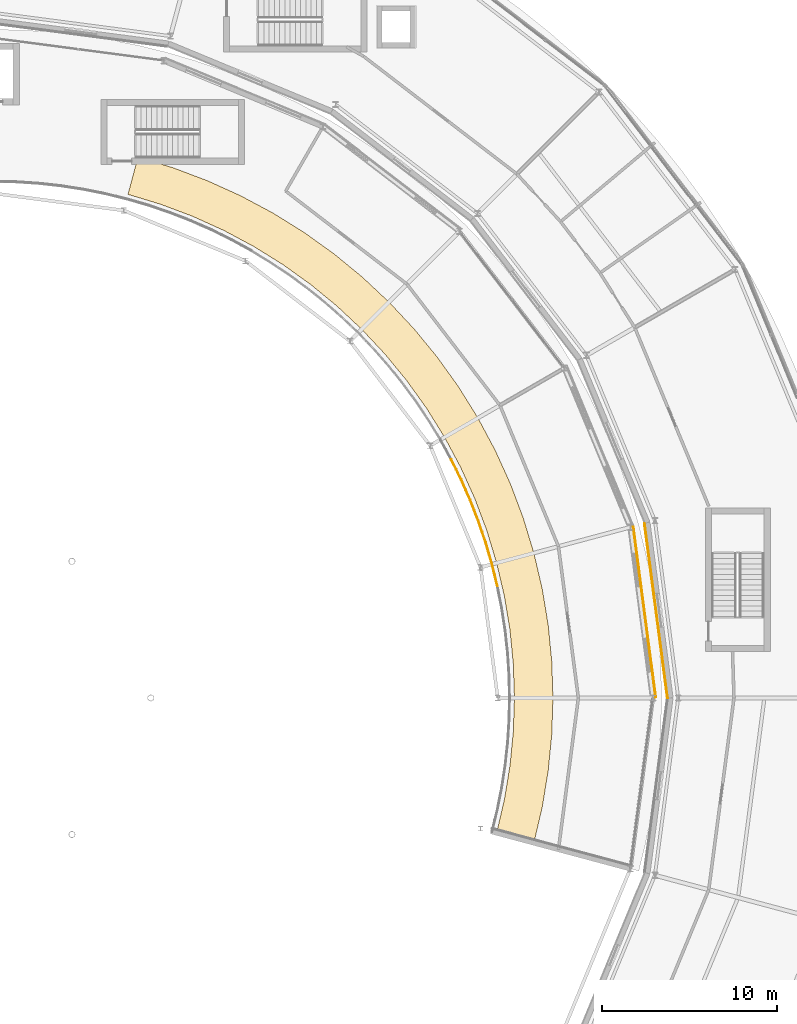
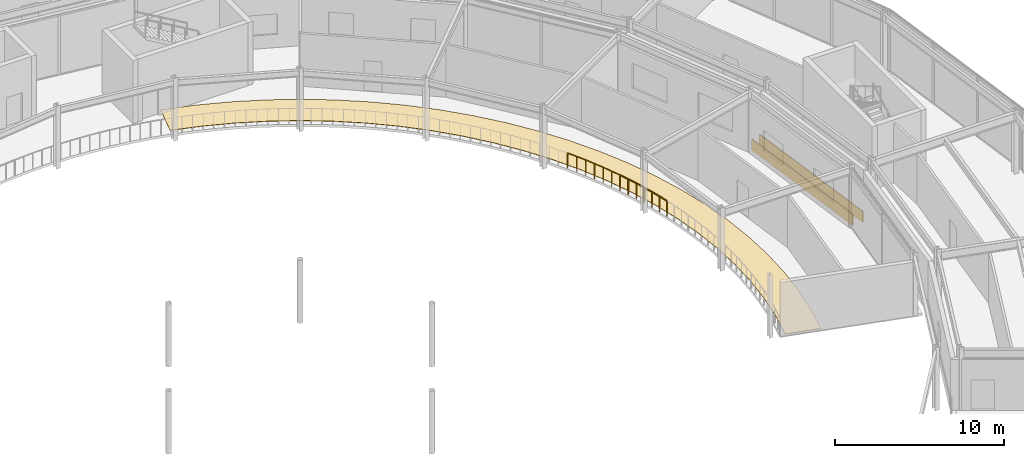
# One storey, part 118 of 133: 6 railings, 3 coverings.
"""IFC4 building model written with IfcOpenShell, lengths in metres."""

from ifc_helpers import new_model, si_unit, direction, frame, origin, origin_2d, place, context, subcontext, project, spatial, polyline, rectangle, circle, outline, extrude, material, layer, layer_set, type_object, element, save


model = new_model("IFC4")

# Units and contexts
model_context = context("Model", 3, precision=1e-05, world=origin(), true_north=direction((0.0, 1.0)))
body_context = subcontext(model_context, "Body", "Model", "MODEL_VIEW")
ifc_project = project(units=[si_unit("LENGTHUNIT", "METRE"), si_unit("AREAUNIT", "SQUARE_METRE"), si_unit("VOLUMEUNIT", "CUBIC_METRE"), si_unit("PLANEANGLEUNIT", "RADIAN"), si_unit("MASSUNIT", "GRAM", prefix="KILO")], contexts=[model_context])

# Site, building, storey
site_placement = place(None, origin())
site = spatial("IfcSite", under=ifc_project, at=site_placement, CompositionType="ELEMENT")
building_placement = place(site_placement, origin())
building = spatial("IfcBuilding", under=site, at=building_placement, Name="Almandine Court Research Institute", CompositionType="ELEMENT")
storey_placement = place(building_placement, frame((0.0, 0.0, 9.800048828125)))
storey = spatial("IfcBuildingStorey", under=building, at=storey_placement, Name="L02", CompositionType="ELEMENT", Elevation=9.800048828125)

# Coverings
ifc_material_1 = material(Name="Extruded Cream-Ochre Seismic Terracotta Spandrel", Category="masonry")
ifc_layer_1 = layer(ifc_material_1, 0.054931640625)
ifc_layer_set_1 = layer_set([ifc_layer_1], Name="Extruded Cream-Ochre Seismic Terracotta Spandrel")
covering_type_1 = type_object("IfcCoveringType", Name="Cov-CLAD-TERR", PredefinedType="CLADDING", material=ifc_layer_set_1)
covering_1_placement = place(storey_placement, frame((124.83203125, 60.98095703125, 0.02001953125), z_axis=(0.0, 0.0, 1.0), x_axis=(-0.13052619222, 0.991444861374, 0.0)))
element("IfcCovering", 1, at=covering_1_placement, inside=storey, type_object=covering_type_1, Name="L02 Facade Spandrel Cladding Band 341", PredefinedType="CLADDING", context=body_context, shape_type="SweptSolid", body=[
    extrude(rectangle(XDim=10.080078125, YDim=0.054931640625, at=origin_2d()), origin(), (0.0, 0.0, 1.0), 0.800048828125),
])
covering_2_placement = place(storey_placement, frame((124.177978515625, 60.89501953125, 0.02001953125), z_axis=(0.0, 0.0, 1.0), x_axis=(0.13052619222, -0.991444861374, 0.0)))
element("IfcCovering", 2, at=covering_2_placement, inside=storey, type_object=covering_type_1, Name="L02 Facade Spandrel Cladding Band 454", PredefinedType="CLADDING", context=body_context, shape_type="SweptSolid", body=[
    extrude(rectangle(XDim=9.821044921875, YDim=0.054931640625, at=origin_2d()), origin(), (0.0, 0.0, 1.0), 0.800048828125),
])
ifc_material_2 = material(Name="Honed Andean Basalt Atrium Stone Flooring", Category="masonry")
ifc_layer_2 = layer(ifc_material_2, 0.02001953125)
ifc_layer_set_2 = layer_set([ifc_layer_2], Name="Honed Andean Basalt Atrium Stone Flooring")
covering_type_2 = type_object("IfcCoveringType", Name="Cov-FLR-STONE", PredefinedType="FLOORING", material=ifc_layer_set_2)
covering_3_placement = place(storey_placement, origin())
element("IfcCovering", 3, at=covering_3_placement, inside=storey, type_object=covering_type_2, Name="L02 Atrium Promenade Basalt Stone Flooring", PredefinedType="FLOORING", context=body_context, shape_type="SweptSolid", body=[
    extrude(outline(polyline([(117.861083984375, 47.73095703125), (118.3359375, 49.76708984375), (118.677001953125, 51.830078125), (118.882080078125, 53.909912109375), (118.949951171875, 56.0), (118.882080078125, 58.090087890625), (118.677001953125, 60.169921875), (118.3359375, 62.23291015625), (117.861083984375, 64.26904296875), (117.25390625, 66.27001953125), (116.51806640625, 68.22705078125), (115.655029296875, 70.131103515625), (114.669921875, 71.97509765625), (113.56494140625, 73.75), (112.347900390625, 75.449951171875), (111.02099609375, 77.06591796875), (109.592041015625, 78.592041015625), (108.06591796875, 80.02099609375), (106.449951171875, 81.347900390625), (104.75, 82.56494140625), (102.97509765625, 83.669921875), (101.131103515625, 84.655029296875), (99.22705078125, 85.51806640625), (97.27001953125, 86.25390625), (95.26904296875, 86.861083984375), (94.699951171875, 84.736083984375), (96.56298828125, 84.1708984375), (98.385009765625, 83.485107421875), (100.157958984375, 82.681884765625), (101.875, 81.763916015625), (103.528076171875, 80.736083984375), (105.111083984375, 79.60205078125), (106.615966796875, 78.366943359375), (108.035888671875, 77.035888671875), (109.366943359375, 75.615966796875), (110.60205078125, 74.111083984375), (111.736083984375, 72.528076171875), (112.763916015625, 70.875), (113.681884765625, 69.157958984375), (114.485107421875, 67.385009765625), (115.1708984375, 65.56298828125), (115.736083984375, 63.699951171875), (116.177978515625, 61.803955078125), (116.4951171875, 59.883056640625), (116.68603515625, 57.946044921875), (116.75, 56.0), (116.68603515625, 54.053955078125), (116.4951171875, 52.116943359375), (116.177978515625, 50.196044921875), (115.736083984375, 48.300048828125), (117.861083984375, 47.73095703125)])), origin(), (0.0, 0.0, 1.0), 0.02001953125),
])

# Railings
ifc_material_3 = material(Name="Powder-Coated Steel Stair and Atrium Balustrade", Category="steel")
railing_type = type_object("IfcRailingType", Name="Rail-GUARD-INT", PredefinedType="BALUSTRADE", material=ifc_material_3)
railing_1_placement = place(storey_placement, frame((115.781005859375, 62.381103515625, 0.0)))
element("IfcRailing", 4, at=railing_1_placement, inside=storey, type_object=railing_type, Name="L02 Atrium Gallery Void Balustrade 012", PredefinedType="BALUSTRADE", context=body_context, shape_type="SweptSolid", body=[
    extrude(circle(Radius=0.02392578125, at=origin_2d()), frame((0.0, 0.0, 1.09619140625), z_axis=(-0.237930881157, 0.971282088681, 0.0), x_axis=(-0.971282088681, -0.237930881157, 0.0)), (0.0, 0.0, 1.0), 1.28564453125),
    extrude(circle(Radius=0.02099609375, at=origin_2d()), origin(), (0.0, 0.0, 1.0), 1.072021484375),
    extrude(circle(Radius=0.02099609375, at=origin_2d()), frame((-0.15283203125, 0.62451171875, 0.0)), (0.0, 0.0, 1.0), 1.072021484375),
    extrude(circle(Radius=0.02099609375, at=origin_2d()), frame((-0.305908203125, 1.248779296875, 0.0)), (0.0, 0.0, 1.0), 1.072021484375),
])
railing_2_placement = place(storey_placement, frame((115.47509765625, 63.6298828125, 0.0)))
element("IfcRailing", 5, at=railing_2_placement, inside=storey, type_object=railing_type, Name="L02 Atrium Gallery Void Balustrade 013", PredefinedType="BALUSTRADE", context=body_context, shape_type="SweptSolid", body=[
    extrude(circle(Radius=0.02392578125, at=origin_2d()), frame((0.0, 0.0, 1.09619140625), z_axis=(-0.279205449783, 0.96023138712, 0.0), x_axis=(-0.96023138712, -0.279205449783, 0.0)), (0.0, 0.0, 1.0), 1.286376953125),
    extrude(circle(Radius=0.02099609375, at=origin_2d()), origin(), (0.0, 0.0, 1.0), 1.072021484375),
    extrude(circle(Radius=0.02099609375, at=origin_2d()), frame((-0.1796875, 0.61767578125, 0.0)), (0.0, 0.0, 1.0), 1.072021484375),
    extrude(circle(Radius=0.02099609375, at=origin_2d()), frame((-0.359130859375, 1.235107421875, 0.0)), (0.0, 0.0, 1.0), 1.072021484375),
])
railing_3_placement = place(storey_placement, frame((115.115966796875, 64.864990234375, 0.0)))
element("IfcRailing", 6, at=railing_3_placement, inside=storey, type_object=railing_type, Name="L02 Atrium Gallery Void Balustrade 014", PredefinedType="BALUSTRADE", context=body_context, shape_type="SweptSolid", body=[
    extrude(circle(Radius=0.02392578125, at=origin_2d()), frame((0.0, 0.0, 1.09619140625), z_axis=(-0.321858504207, 0.946787781538, 0.0), x_axis=(-0.946787781538, -0.321858504207, 0.0)), (0.0, 0.0, 1.0), 1.286376953125),
    extrude(circle(Radius=0.02099609375, at=origin_2d()), origin(), (0.0, 0.0, 1.0), 1.072021484375),
    extrude(circle(Radius=0.02099609375, at=origin_2d()), frame((-0.20703125, 0.60888671875, 0.0)), (0.0, 0.0, 1.0), 1.072021484375),
    extrude(circle(Radius=0.02099609375, at=origin_2d()), frame((-0.4140625, 1.218017578125, 0.0)), (0.0, 0.0, 1.0), 1.072021484375),
])
railing_4_placement = place(storey_placement, frame((114.701904296875, 66.0830078125, 0.0)))
element("IfcRailing", 7, at=railing_4_placement, inside=storey, type_object=railing_type, Name="L02 Atrium Gallery Void Balustrade 015", PredefinedType="BALUSTRADE", context=body_context, shape_type="SweptSolid", body=[
    extrude(circle(Radius=0.02392578125, at=origin_2d()), frame((0.0, 0.0, 1.09619140625), z_axis=(-0.362143982207, 0.93212216804, 0.0), x_axis=(-0.93212216804, -0.362143982207, 0.0)), (0.0, 0.0, 1.0), 1.286376953125),
    extrude(circle(Radius=0.02099609375, at=origin_2d()), origin(), (0.0, 0.0, 1.0), 1.072021484375),
    extrude(circle(Radius=0.02099609375, at=origin_2d()), frame((-0.23291015625, 0.599609375, 0.0)), (0.0, 0.0, 1.0), 1.072021484375),
    extrude(circle(Radius=0.02099609375, at=origin_2d()), frame((-0.4658203125, 1.198974609375, 0.0)), (0.0, 0.0, 1.0), 1.072021484375),
])
railing_5_placement = place(storey_placement, frame((114.236083984375, 67.281982421875, 0.0)))
element("IfcRailing", 8, at=railing_5_placement, inside=storey, type_object=railing_type, Name="L02 Atrium Gallery Void Balustrade 016", PredefinedType="BALUSTRADE", context=body_context, shape_type="SweptSolid", body=[
    extrude(circle(Radius=0.02392578125, at=origin_2d()), frame((0.0, 0.0, 1.09619140625), z_axis=(-0.402859493135, 0.915261836193, 0.0), x_axis=(-0.915261836193, -0.402859493135, 0.0)), (0.0, 0.0, 1.0), 1.285888671875),
    extrude(circle(Radius=0.02099609375, at=origin_2d()), origin(), (0.0, 0.0, 1.0), 1.072021484375),
    extrude(circle(Radius=0.02099609375, at=origin_2d()), frame((-0.259033203125, 0.58837890625, 0.0)), (0.0, 0.0, 1.0), 1.072021484375),
    extrude(circle(Radius=0.02099609375, at=origin_2d()), frame((-0.51806640625, 1.177001953125, 0.0)), (0.0, 0.0, 1.0), 1.072021484375),
])
railing_6_placement = place(storey_placement, frame((113.718017578125, 68.458984375, 0.0)))
element("IfcRailing", 9, at=railing_6_placement, inside=storey, type_object=railing_type, Name="L02 Atrium Gallery Void Balustrade 017", PredefinedType="BALUSTRADE", context=body_context, shape_type="SweptSolid", body=[
    extrude(circle(Radius=0.02392578125, at=origin_2d()), frame((0.0, 0.0, 1.09619140625), z_axis=(-0.442574895065, 0.896731544141, 0.0), x_axis=(-0.896731544141, -0.442574895065, 0.0)), (0.0, 0.0, 1.0), 1.285888671875),
    extrude(circle(Radius=0.02099609375, at=origin_2d()), origin(), (0.0, 0.0, 1.0), 1.072021484375),
    extrude(circle(Radius=0.02099609375, at=origin_2d()), frame((-0.28466796875, 0.57666015625, 0.0)), (0.0, 0.0, 1.0), 1.072021484375),
    extrude(circle(Radius=0.02099609375, at=origin_2d()), frame((-0.569091796875, 1.153076171875, 0.0)), (0.0, 0.0, 1.0), 1.072021484375),
])

save(model, "model.ifc")
